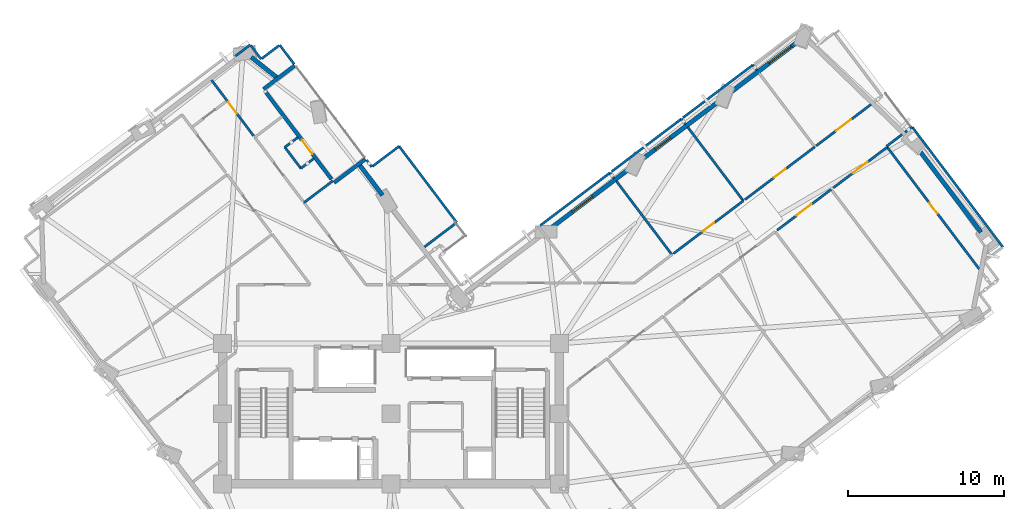
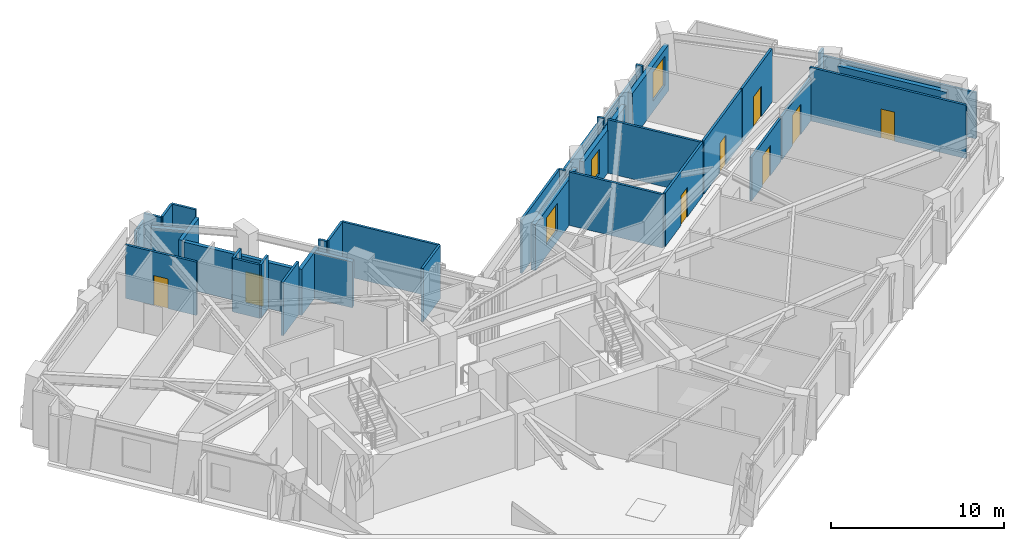
# One storey, part 9 of 15: 39 walls, 8 doors, 3 windows, 11 openings.
"""IFC4 building model written with IfcOpenShell, lengths in metres."""

from ifc_helpers import new_model, si_unit, direction, frame, frame_2d, origin, place, context, subcontext, project, spatial, rectangle, extrude, material, layer, layer_set, type_object, element, fill, save


model = new_model("IFC4")

# Units and contexts
model_context = context("Model", 3, precision=1e-05, world=origin(), true_north=direction((0.0, 1.0)))
body_context = subcontext(model_context, "Body", "Model", "MODEL_VIEW")
ifc_project = project(units=[si_unit("LENGTHUNIT", "METRE"), si_unit("AREAUNIT", "SQUARE_METRE"), si_unit("VOLUMEUNIT", "CUBIC_METRE"), si_unit("PLANEANGLEUNIT", "RADIAN"), si_unit("MASSUNIT", "GRAM", prefix="KILO")], contexts=[model_context])

# Site, building, storey
site_placement = place(None, origin())
site = spatial("IfcSite", under=ifc_project, at=site_placement, CompositionType="ELEMENT")
building_placement = place(site_placement, origin())
building = spatial("IfcBuilding", under=site, at=building_placement, Name="Gaonmaruhae Medical Tower", CompositionType="ELEMENT")
storey_placement = place(building_placement, frame((0.0, 0.0, 181.800048828125)))
storey = spatial("IfcBuildingStorey", under=building, at=storey_placement, Name="L43", CompositionType="ELEMENT", Elevation=181.800048828125)

# Wall, opening, door
ifc_material_1 = material(Name="Precast concrete C45/55", Category="concrete")
ifc_layer_1 = layer(ifc_material_1, 0.239990234375)
ifc_layer_set_1 = layer_set([ifc_layer_1], Name="Precast concrete C45/55")
wall_type_1 = type_object("IfcWallType", Name="EW-240 Ribbon & Shelter Insulated Precast Wall", PredefinedType="SOLIDWALL", material=ifc_layer_set_1)
wall_1_placement = place(storey_placement, frame((16.791015625, 32.89208984375, 0.0), z_axis=(0.0, 0.0, 1.0), x_axis=(0.602494608464, -0.798122952165, 0.0)))
wall_1 = element("IfcWall", 1, at=wall_1_placement, inside=storey, type_object=wall_type_1, Name="L43 Recessed Terrace Enclosure Wall TERB", PredefinedType="SOLIDWALL", context=body_context, shape_type="SweptSolid", body=[
    extrude(rectangle(XDim=6.9599609375, YDim=0.239990234375, at=frame_2d((3.47998046875, 0.0))), origin(), (0.0, 0.0, 1.0), 3.264892578125),
])
opening_1_placement = place(wall_1_placement, frame((3.819580078125, 0.0, 0.0)))
opening_1 = element("IfcOpeningElement", 2, at=opening_1_placement, cuts=wall_1, Name="Opening TD-01", PredefinedType="OPENING", context=body_context, shape_type="SweptSolid", body=[
    extrude(rectangle(XDim=1.10009765625, YDim=2.14990234375, at=frame_2d((0.550048828125, 1.074951171875))), frame((0.0, 0.1298828125, 0.0), z_axis=(0.0, -1.0, 0.0), x_axis=(1.0, 0.0, 0.0)), (0.0, 0.0, 1.0), 0.260009765625),
])
ifc_material_2 = material(Name="Anodised aluminium and toughened safety glass", Category="aluminium")
door_type_1 = type_object("IfcDoorType", Name="TD-01 Terrace & Sky Garden Glazed Door 1100x2150", OperationType="NOTDEFINED", PredefinedType="DOOR", material=ifc_material_2)
door_1_placement = place(opening_1_placement, origin())
door_1 = element("IfcDoor", 3, at=door_1_placement, inside=storey, type_object=door_type_1, Name="L43 Outdoor Terrace Access Door SLB-L43-TER", OperationType="SINGLE_SWING_LEFT", OverallHeight=2.14990234375, OverallWidth=1.10009765625, PredefinedType="DOOR", context=body_context, shape_type="SweptSolid", body=[
    extrude(rectangle(XDim=1.10009765625, YDim=2.14990234375, at=frame_2d((0.550048828125, 1.074951171875))), frame((0.0, 0.02490234375, 0.0), z_axis=(0.0, -1.0, 0.0), x_axis=(1.0, 0.0, 0.0)), (0.0, 0.0, 1.0), 0.050048828125),
])
fill(opening_1, door_1)

# Walls
for number, where, z_axis, x_axis, name in (
    (4, (21.153076171875, 27.11376953125, 0.0), (0.0, 0.0, 1.0), (0.798073955491, 0.602559508735, 0.0), "L43 Recessed Terrace Enclosure Wall TERL"),
    (5, (18.617431640625, 34.621826171875, 0.0), (0.0, 0.0, 1.0), (-0.798073955491, -0.602559508735, 0.0), "L43 Recessed Terrace Enclosure Wall TERR"),
):
    element("IfcWall", number, at=place(storey_placement, frame(where, z_axis=z_axis, x_axis=x_axis)), inside=storey, type_object=wall_type_1, Name=name, PredefinedType="SOLIDWALL", context=body_context, shape_type="SweptSolid", body=[
        extrude(rectangle(XDim=2.5, YDim=0.239990234375, at=frame_2d((1.25, 0.0))), origin(), (0.0, 0.0, 1.0), 3.264892578125),
    ])
ifc_layer_2 = layer(ifc_material_1, 0.280029296875)
ifc_layer_set_2 = layer_set([ifc_layer_2], Name="Precast concrete C45/55")
wall_type_2 = type_object("IfcWallType", Name="EW-280 Upper Precast Masonry-Frame Facade Wall", PredefinedType="SOLIDWALL", material=ifc_layer_set_2)
wall_2_placement = place(storey_placement, frame((58.515380859375, 29.388916015625, 0.0), z_axis=(0.0, 0.0, 1.0), x_axis=(0.602492713857, -0.79812438238, 0.0)))
element("IfcWall", 6, at=wall_2_placement, inside=storey, type_object=wall_type_2, Name="L43 Precast Masonry-Frame Wall E01-E02", PredefinedType="SOLIDWALL", context=body_context, shape_type="SweptSolid", body=[
    extrude(rectangle(XDim=6.840087890625, YDim=0.280029296875, at=frame_2d((3.419921875, 0.0))), origin(), (0.0, 0.0, 1.0), 3.264892578125),
])

# Wall, opening, window
wall_3_placement = place(storey_placement, frame((46.6171875, 32.935546875, 0.0), z_axis=(0.0, 0.0, 1.0), x_axis=(0.798109637952, 0.602512245359, 0.0)))
wall_3 = element("IfcWall", 7, at=wall_3_placement, inside=storey, type_object=wall_type_2, Name="L43 Precast Masonry-Frame Wall E03-EN01", PredefinedType="SOLIDWALL", context=body_context, shape_type="SweptSolid", body=[
    extrude(rectangle(XDim=5.404541015625, YDim=0.280029296875, at=frame_2d((2.7021484375, 0.0))), origin(), (0.0, 0.0, 1.0), 3.264892578125),
])
opening_2_placement = place(wall_3_placement, frame((3.03369140625, 0.0, 0.75)))
opening_2 = element("IfcOpeningElement", 8, at=opening_2_placement, cuts=wall_3, Name="Opening WN-04", PredefinedType="OPENING", context=body_context, shape_type="SweptSolid", body=[
    extrude(rectangle(XDim=1.800048828125, YDim=2.050048828125, at=frame_2d((0.89990234375, 1.02490234375))), frame((0.0, 0.14990234375, 0.0), z_axis=(0.0, -1.0, 0.0), x_axis=(1.0, 0.0, 0.0)), (0.0, 0.0, 1.0), 0.300048828125),
])
ifc_material_3 = material(Name="Anodised aluminium and Low-E double glazing", Category="aluminium")
window_type_1 = type_object("IfcWindowType", Name="WN-04 Clinic & Consult Punched Window 1800x2050", PartitioningType="SINGLE_PANEL", PredefinedType="WINDOW", material=ifc_material_3)
window_1_placement = place(opening_2_placement, origin())
window_1 = element("IfcWindow", 9, at=window_1_placement, inside=storey, type_object=window_type_1, Name="L43 Modular Facade Window E03", OverallHeight=2.050048828125, OverallWidth=1.800048828125, PartitioningType="SINGLE_PANEL", PredefinedType="WINDOW", context=body_context, shape_type="SweptSolid", body=[
    extrude(rectangle(XDim=1.800048828125, YDim=2.050048828125, at=frame_2d((0.89990234375, 1.02490234375))), frame((0.0, 0.030029296875, 0.0), z_axis=(0.0, -1.0, 0.0), x_axis=(1.0, 0.0, 0.0)), (0.0, 0.0, 1.0), 0.06005859375),
])
fill(opening_2, window_1)

wall_4_placement = place(storey_placement, frame((40.88037109375, 28.6044921875, 0.0), z_axis=(0.0, 0.0, 1.0), x_axis=(0.798099856312, 0.602525202257, 0.0)))
wall_4 = element("IfcWall", 10, at=wall_4_placement, inside=storey, type_object=wall_type_2, Name="L43 Precast Masonry-Frame Wall EN01-EN02", PredefinedType="SOLIDWALL", context=body_context, shape_type="SweptSolid", body=[
    extrude(rectangle(XDim=6.2265625, YDim=0.280029296875, at=frame_2d((3.11328125, 0.0))), origin(), (0.0, 0.0, 1.0), 3.06494140625),
])
opening_3_placement = place(wall_4_placement, frame((1.095703125, 0.0, 0.75)))
opening_3 = element("IfcOpeningElement", 11, at=opening_3_placement, cuts=wall_4, Name="Opening WN-05", PredefinedType="OPENING", context=body_context, shape_type="SweptSolid", body=[
    extrude(rectangle(XDim=1.199951171875, YDim=1.75, at=frame_2d((0.60009765625, 0.875))), frame((0.0, 0.14990234375, 0.0), z_axis=(0.0, -1.0, 0.0), x_axis=(1.0, 0.0, 0.0)), (0.0, 0.0, 1.0), 0.300048828125),
])
window_type_2 = type_object("IfcWindowType", Name="WN-05 Support & Staff Punched Window 1200x1750", PartitioningType="SINGLE_PANEL", PredefinedType="WINDOW", material=ifc_material_3)
window_2_placement = place(opening_3_placement, origin())
window_2 = element("IfcWindow", 12, at=window_2_placement, inside=storey, type_object=window_type_2, Name="L43 Modular Facade Window EN01", OverallHeight=1.75, OverallWidth=1.199951171875, PartitioningType="SINGLE_PANEL", PredefinedType="WINDOW", context=body_context, shape_type="SweptSolid", body=[
    extrude(rectangle(XDim=1.199951171875, YDim=1.75, at=frame_2d((0.60009765625, 0.875))), frame((0.0, 0.030029296875, 0.0), z_axis=(0.0, -1.0, 0.0), x_axis=(1.0, 0.0, 0.0)), (0.0, 0.0, 1.0), 0.06005859375),
])
fill(opening_3, window_2)

wall_5_placement = place(storey_placement, frame((35.1376953125, 24.269287109375, 0.0), z_axis=(0.0, 0.0, 1.0), x_axis=(0.798109261366, 0.602512744199, 0.0)))
wall_5 = element("IfcWall", 13, at=wall_5_placement, inside=storey, type_object=wall_type_2, Name="L43 Precast Masonry-Frame Wall EN02-EN03", PredefinedType="SOLIDWALL", context=body_context, shape_type="SweptSolid", body=[
    extrude(rectangle(XDim=6.2109375, YDim=0.280029296875, at=frame_2d((3.10546875, 0.0))), origin(), (0.0, 0.0, 1.0), 3.264892578125),
])
opening_4_placement = place(wall_5_placement, frame((1.623779296875, 0.0, 0.75)))
opening_4 = element("IfcOpeningElement", 14, at=opening_4_placement, cuts=wall_5, Name="Opening WN-01", PredefinedType="OPENING", context=body_context, shape_type="SweptSolid", body=[
    extrude(rectangle(XDim=1.60009765625, YDim=1.949951171875, at=frame_2d((0.800048828125, 0.97509765625))), frame((0.0, 0.14990234375, 0.0), z_axis=(0.0, -1.0, 0.0), x_axis=(1.0, 0.0, 0.0)), (0.0, 0.0, 1.0), 0.300048828125),
])
window_type_3 = type_object("IfcWindowType", Name="WN-01 Ward Punched Acoustic Window 1600x1950", PartitioningType="SINGLE_PANEL", PredefinedType="WINDOW", material=ifc_material_3)
window_3_placement = place(opening_4_placement, origin())
window_3 = element("IfcWindow", 15, at=window_3_placement, inside=storey, type_object=window_type_3, Name="L43 Modular Facade Window EN02", OverallHeight=1.949951171875, OverallWidth=1.60009765625, PartitioningType="SINGLE_PANEL", PredefinedType="WINDOW", context=body_context, shape_type="SweptSolid", body=[
    extrude(rectangle(XDim=1.60009765625, YDim=1.949951171875, at=frame_2d((0.800048828125, 0.97509765625))), frame((0.0, 0.030029296875, 0.0), z_axis=(0.0, -1.0, 0.0), x_axis=(1.0, 0.0, 0.0)), (0.0, 0.0, 1.0), 0.06005859375),
])
fill(opening_4, window_3)

# Walls
wall_6_placement = place(storey_placement, frame((24.251953125, 26.3115234375, 0.0), z_axis=(0.0, 0.0, 1.0), x_axis=(-0.602494218239, 0.798123246741, 0.0)))
element("IfcWall", 16, at=wall_6_placement, inside=storey, type_object=wall_type_2, Name="L43 Precast Masonry-Frame Wall NE01-NE02", PredefinedType="SOLIDWALL", context=body_context, shape_type="SweptSolid", body=[
    extrude(rectangle(XDim=2.4873046875, YDim=0.280029296875, at=frame_2d((1.24365234375, 0.0))), origin(), (0.0, 0.0, 1.0), 3.244873046875),
])
wall_7_placement = place(storey_placement, frame((15.840576171875, 35.166748046875, 0.0), z_axis=(0.0, 0.0, 1.0), x_axis=(0.781829208008, -0.623492653931, 0.0)))
element("IfcWall", 17, at=wall_7_placement, inside=storey, type_object=wall_type_2, Name="L43 Precast Masonry-Frame Wall NE02-N01", PredefinedType="SOLIDWALL", context=body_context, shape_type="SweptSolid", body=[
    extrude(rectangle(XDim=2.155517578125, YDim=0.280029296875, at=frame_2d((1.07763671875, 0.0))), origin(), (0.0, 0.0, 1.0), 3.244873046875),
])

# Wall, opening, door
ifc_material_4 = material(Name="Gypsum board partition", Category="gypsum")
ifc_layer_3 = layer(ifc_material_4, 0.14990234375)
ifc_layer_set_3 = layer_set([ifc_layer_3], Name="Gypsum board partition")
wall_type_3 = type_object("IfcWallType", Name="PW-150 Rated Clinical Corridor Partition", PredefinedType="PARTITIONING", material=ifc_layer_set_3)
wall_8_placement = place(storey_placement, frame((49.56201171875, 24.070068359375, 0.0), z_axis=(0.0, 0.0, 1.0), x_axis=(0.798105957369, 0.602517120763, 0.0)))
wall_8 = element("IfcWall", 18, at=wall_8_placement, inside=storey, type_object=wall_type_3, Name="L43 Interior Partition L43-SUP10-30", PredefinedType="PARTITIONING", context=body_context, shape_type="SweptSolid", body=[
    extrude(rectangle(XDim=4.340087890625, YDim=0.14990234375, at=frame_2d((2.169921875, 0.0))), origin(), (0.0, 0.0, 1.0), 3.06494140625),
])
opening_5_placement = place(wall_8_placement, frame((1.570068359375, 0.0, 0.0)))
opening_5 = element("IfcOpeningElement", 19, at=opening_5_placement, cuts=wall_8, Name="Opening CD-02", PredefinedType="OPENING", context=body_context, shape_type="SweptSolid", body=[
    extrude(rectangle(XDim=1.199951171875, YDim=2.14990234375, at=frame_2d((0.60009765625, 1.074951171875))), frame((0.0, 0.0849609375, 0.0), z_axis=(0.0, -1.0, 0.0), x_axis=(1.0, 0.0, 0.0)), (0.0, 0.0, 1.0), 0.169921875),
])
ifc_material_5 = material(Name="Antimicrobial laminate timber fire door", Category="wood")
door_type_2 = type_object("IfcDoorType", Name="CD-02 Clinical Treatment & Procedure Door 1200x2150", OperationType="NOTDEFINED", PredefinedType="DOOR", material=ifc_material_5)
door_2_placement = place(opening_5_placement, origin())
door_2 = element("IfcDoor", 20, at=door_2_placement, inside=storey, type_object=door_type_2, Name="L43 Clinical Biomedical Charting Office Door", OperationType="SINGLE_SWING_LEFT", OverallHeight=2.14990234375, OverallWidth=1.199951171875, PredefinedType="DOOR", context=body_context, shape_type="SweptSolid", body=[
    extrude(rectangle(XDim=1.199951171875, YDim=2.14990234375, at=frame_2d((0.60009765625, 1.074951171875))), frame((0.0, 0.02490234375, 0.0), z_axis=(0.0, -1.0, 0.0), x_axis=(1.0, 0.0, 0.0)), (0.0, 0.0, 1.0), 0.050048828125),
])
fill(opening_5, door_2)

wall_9_placement = place(storey_placement, frame((53.154052734375, 26.781005859375, 0.0), z_axis=(0.0, 0.0, 1.0), x_axis=(0.798105957369, 0.602517120763, 0.0)))
wall_9 = element("IfcWall", 21, at=wall_9_placement, inside=storey, type_object=wall_type_3, Name="L43 Interior Partition L43-SUP11-33", PredefinedType="PARTITIONING", context=body_context, shape_type="SweptSolid", body=[
    extrude(rectangle(XDim=4.340087890625, YDim=0.14990234375, at=frame_2d((2.169921875, 0.0))), origin(), (0.0, 0.0, 1.0), 3.06494140625),
])
opening_6_placement = place(wall_9_placement, frame((1.570068359375, 0.0, 0.0)))
opening_6 = element("IfcOpeningElement", 22, at=opening_6_placement, cuts=wall_9, Name="Opening CD-02", PredefinedType="OPENING", context=body_context, shape_type="SweptSolid", body=[
    extrude(rectangle(XDim=1.199951171875, YDim=2.14990234375, at=frame_2d((0.60009765625, 1.074951171875))), frame((0.0, 0.0849609375, 0.0), z_axis=(0.0, -1.0, 0.0), x_axis=(1.0, 0.0, 0.0)), (0.0, 0.0, 1.0), 0.169921875),
])
door_3_placement = place(opening_6_placement, origin())
door_3 = element("IfcDoor", 23, at=door_3_placement, inside=storey, type_object=door_type_2, Name="L43 Clinical Biomedical Charting Office Door", OperationType="SINGLE_SWING_LEFT", OverallHeight=2.14990234375, OverallWidth=1.199951171875, PredefinedType="DOOR", context=body_context, shape_type="SweptSolid", body=[
    extrude(rectangle(XDim=1.199951171875, YDim=2.14990234375, at=frame_2d((0.60009765625, 1.074951171875))), frame((0.0, 0.02490234375, 0.0), z_axis=(0.0, -1.0, 0.0), x_axis=(1.0, 0.0, 0.0)), (0.0, 0.0, 1.0), 0.050048828125),
])
fill(opening_6, door_3)

wall_10_placement = place(storey_placement, frame((56.617919921875, 29.39599609375, 0.0), z_axis=(0.0, 0.0, 1.0), x_axis=(0.602496773162, -0.798121318053, 0.0)))
wall_10 = element("IfcWall", 24, at=wall_10_placement, inside=storey, type_object=wall_type_3, Name="L43 Interior Partition L43-SUP11-34", PredefinedType="PARTITIONING", context=body_context, shape_type="SweptSolid", body=[
    extrude(rectangle(XDim=9.829345703125, YDim=0.14990234375, at=frame_2d((4.91455078125, 0.0))), origin(), (0.0, 0.0, 1.0), 3.780029296875),
])
opening_7_placement = place(wall_10_placement, frame((4.484619140625, 0.0, 0.0)))
opening_7 = element("IfcOpeningElement", 25, at=opening_7_placement, cuts=wall_10, Name="Opening AD-01", PredefinedType="OPENING", context=body_context, shape_type="SweptSolid", body=[
    extrude(rectangle(XDim=0.860107421875, YDim=2.06005859375, at=frame_2d((0.43017578125, 1.030029296875))), frame((0.0, 0.0849609375, 0.0), z_axis=(0.0, -1.0, 0.0), x_axis=(1.0, 0.0, 0.0)), (0.0, 0.0, 1.0), 0.169921875),
])
ifc_material_6 = material(Name="Powder-coated steel access door", Category="steel")
door_type_3 = type_object("IfcDoorType", Name="AD-01 Riser & Closet Access Fire Door 860x2060", OperationType="NOTDEFINED", PredefinedType="DOOR", material=ifc_material_6)
door_4_placement = place(opening_7_placement, origin())
door_4 = element("IfcDoor", 26, at=door_4_placement, inside=storey, type_object=door_type_3, Name="L43 Clinical Case Review Office Sliding Door", OperationType="SLIDING_TO_LEFT", OverallHeight=2.06005859375, OverallWidth=0.860107421875, PredefinedType="DOOR", context=body_context, shape_type="SweptSolid", body=[
    extrude(rectangle(XDim=0.860107421875, YDim=2.06005859375, at=frame_2d((0.43017578125, 1.030029296875))), frame((0.0, 0.02490234375, 0.0), z_axis=(0.0, -1.0, 0.0), x_axis=(1.0, 0.0, 0.0)), (0.0, 0.0, 1.0), 0.050048828125),
])
fill(opening_7, door_4)

# Walls
wall_11_placement = place(storey_placement, frame((34.35888671875, 24.37109375, 0.0), z_axis=(0.0, 0.0, 1.0), x_axis=(0.798228577004, 0.602354662017, 0.0)))
element("IfcWall", 27, at=wall_11_placement, inside=storey, type_object=wall_type_3, Name="L43 Interior Partition L43-IE03-77", PredefinedType="PARTITIONING", context=body_context, shape_type="SweptSolid", body=[
    extrude(rectangle(XDim=5.61767578125, YDim=0.14990234375, at=frame_2d((2.808837890625, 0.0))), origin(), (0.0, 0.0, 1.0), 3.780029296875),
])
wall_12_placement = place(storey_placement, frame((38.843017578125, 27.7548828125, 0.0), z_axis=(0.0, 0.0, 1.0), x_axis=(0.602602666336, -0.798041368931, 0.0)))
element("IfcWall", 28, at=wall_12_placement, inside=storey, type_object=wall_type_3, Name="L43 Interior Partition L43-IE03-78", PredefinedType="PARTITIONING", context=body_context, shape_type="SweptSolid", body=[
    extrude(rectangle(XDim=0.434814453125, YDim=0.14990234375, at=frame_2d((0.21728515625, 0.0))), origin(), (0.0, 0.0, 1.0), 3.780029296875),
])
wall_13_placement = place(storey_placement, frame((39.242919921875, 27.22509765625, 0.0), z_axis=(0.0, 0.0, 1.0), x_axis=(0.602515370823, -0.798107278455, 0.0)))
element("IfcWall", 29, at=wall_13_placement, inside=storey, type_object=wall_type_3, Name="L43 Interior Partition L43-IE03-79", PredefinedType="PARTITIONING", context=body_context, shape_type="SweptSolid", body=[
    extrude(rectangle(XDim=5.92529296875, YDim=0.14990234375, at=frame_2d((2.962646484375, 0.0))), origin(), (0.0, 0.0, 1.0), 3.780029296875),
])

# Wall, opening, door
wall_14_placement = place(storey_placement, frame((47.39208984375, 25.952880859375, 0.0), z_axis=(0.0, 0.0, 1.0), x_axis=(-0.79808188884, -0.602549001083, 0.0)))
wall_14 = element("IfcWall", 30, at=wall_14_placement, inside=storey, type_object=wall_type_3, Name="L43 Interior Partition L43-IE04-82", PredefinedType="PARTITIONING", context=body_context, shape_type="SweptSolid", body=[
    extrude(rectangle(XDim=5.617431640625, YDim=0.14990234375, at=frame_2d((2.80859375, 0.0))), origin(), (0.0, 0.0, 1.0), 3.780029296875),
])
opening_8_placement = place(wall_14_placement, frame((2.3486328125, 0.0, 0.0)))
opening_8 = element("IfcOpeningElement", 31, at=opening_8_placement, cuts=wall_14, Name="Opening UD-01", PredefinedType="OPENING", context=body_context, shape_type="SweptSolid", body=[
    extrude(rectangle(XDim=0.919921875, YDim=2.10009765625, at=frame_2d((0.4599609375, 1.050048828125))), frame((0.0, 0.0849609375, 0.0), z_axis=(0.0, -1.0, 0.0), x_axis=(1.0, 0.0, 0.0)), (0.0, 0.0, 1.0), 0.169921875),
])
ifc_material_7 = material(Name="Powder-coated steel utility door", Category="steel")
door_type_4 = type_object("IfcDoorType", Name="UD-01 Toilet, Utility & Housekeeping Door 920x2100", OperationType="NOTDEFINED", PredefinedType="DOOR", material=ifc_material_7)
door_5_placement = place(opening_8_placement, origin())
door_5 = element("IfcDoor", 32, at=door_5_placement, inside=storey, type_object=door_type_4, Name="L43 Accessible Public Toilet Door", OperationType="SINGLE_SWING_RIGHT", OverallHeight=2.10009765625, OverallWidth=0.919921875, PredefinedType="DOOR", context=body_context, shape_type="SweptSolid", body=[
    extrude(rectangle(XDim=0.919921875, YDim=2.10009765625, at=frame_2d((0.4599609375, 1.050048828125))), frame((0.0, 0.02490234375, 0.0), z_axis=(0.0, -1.0, 0.0), x_axis=(1.0, 0.0, 0.0)), (0.0, 0.0, 1.0), 0.050048828125),
])
fill(opening_8, door_5)

# Walls
wall_15_placement = place(storey_placement, frame((38.93896484375, 27.827880859375, 0.0), z_axis=(0.0, 0.0, 1.0), x_axis=(0.798144589063, 0.602465945053, 0.0)))
element("IfcWall", 33, at=wall_15_placement, inside=storey, type_object=wall_type_3, Name="L43 Interior Partition L43-IE04-83", PredefinedType="PARTITIONING", context=body_context, shape_type="SweptSolid", body=[
    extrude(rectangle(XDim=5.616943359375, YDim=0.14990234375, at=frame_2d((2.80859375, 0.0))), origin(), (0.0, 0.0, 1.0), 3.264892578125),
])
wall_16_placement = place(storey_placement, frame((43.422119140625, 31.2119140625, 0.0), z_axis=(0.0, 0.0, 1.0), x_axis=(0.602602666336, -0.798041368931, 0.0)))
element("IfcWall", 34, at=wall_16_placement, inside=storey, type_object=wall_type_3, Name="L43 Interior Partition L43-IE04-84", PredefinedType="PARTITIONING", context=body_context, shape_type="SweptSolid", body=[
    extrude(rectangle(XDim=0.434814453125, YDim=0.14990234375, at=frame_2d((0.21728515625, 0.0))), origin(), (0.0, 0.0, 1.0), 3.780029296875),
])
wall_17_placement = place(storey_placement, frame((43.822021484375, 30.681884765625, 0.0), z_axis=(0.0, 0.0, 1.0), x_axis=(0.602515370823, -0.798107278455, 0.0)))
element("IfcWall", 35, at=wall_17_placement, inside=storey, type_object=wall_type_3, Name="L43 Interior Partition L43-IE04-85", PredefinedType="PARTITIONING", context=body_context, shape_type="SweptSolid", body=[
    extrude(rectangle(XDim=5.92529296875, YDim=0.14990234375, at=frame_2d((2.962646484375, 0.0))), origin(), (0.0, 0.0, 1.0), 3.780029296875),
])

# Wall, opening, door
wall_18_placement = place(storey_placement, frame((51.971923828125, 29.409912109375, 0.0), z_axis=(0.0, 0.0, 1.0), x_axis=(-0.798108322746, -0.602513987525, 0.0)))
wall_18 = element("IfcWall", 36, at=wall_18_placement, inside=storey, type_object=wall_type_3, Name="L43 Interior Partition L43-IE05-86", PredefinedType="PARTITIONING", context=body_context, shape_type="SweptSolid", body=[
    extrude(rectangle(XDim=5.6181640625, YDim=0.14990234375, at=frame_2d((2.80908203125, 0.0))), origin(), (0.0, 0.0, 1.0), 3.780029296875),
])
opening_9_placement = place(wall_18_placement, frame((2.34912109375, 0.0, 0.0)))
opening_9 = element("IfcOpeningElement", 37, at=opening_9_placement, cuts=wall_18, Name="Opening UD-01", PredefinedType="OPENING", context=body_context, shape_type="SweptSolid", body=[
    extrude(rectangle(XDim=0.919921875, YDim=2.10009765625, at=frame_2d((0.4599609375, 1.050048828125))), frame((0.0, 0.0849609375, 0.0), z_axis=(0.0, -1.0, 0.0), x_axis=(1.0, 0.0, 0.0)), (0.0, 0.0, 1.0), 0.169921875),
])
door_6_placement = place(opening_9_placement, origin())
door_6 = element("IfcDoor", 38, at=door_6_placement, inside=storey, type_object=door_type_4, Name="L43 Ward Housekeeping and Linen Store Door", OperationType="SINGLE_SWING_LEFT", OverallHeight=2.10009765625, OverallWidth=0.919921875, PredefinedType="DOOR", context=body_context, shape_type="SweptSolid", body=[
    extrude(rectangle(XDim=0.919921875, YDim=2.10009765625, at=frame_2d((0.4599609375, 1.050048828125))), frame((0.0, 0.02490234375, 0.0), z_axis=(0.0, -1.0, 0.0), x_axis=(1.0, 0.0, 0.0)), (0.0, 0.0, 1.0), 0.050048828125),
])
fill(opening_9, door_6)

# Walls
wall_19_placement = place(storey_placement, frame((43.51806640625, 31.284912109375, 0.0), z_axis=(0.0, 0.0, 1.0), x_axis=(0.798128812023, 0.602486845847, 0.0)))
element("IfcWall", 39, at=wall_19_placement, inside=storey, type_object=wall_type_3, Name="L43 Interior Partition L43-IE05-87", PredefinedType="PARTITIONING", context=body_context, shape_type="SweptSolid", body=[
    extrude(rectangle(XDim=5.61669921875, YDim=0.14990234375, at=frame_2d((2.808349609375, 0.0))), origin(), (0.0, 0.0, 1.0), 3.06494140625),
])
wall_20_placement = place(storey_placement, frame((48.0009765625, 34.6689453125, 0.0), z_axis=(0.0, 0.0, 1.0), x_axis=(0.602602666336, -0.798041368931, 0.0)))
element("IfcWall", 40, at=wall_20_placement, inside=storey, type_object=wall_type_3, Name="L43 Interior Partition L43-IE05-88", PredefinedType="PARTITIONING", context=body_context, shape_type="SweptSolid", body=[
    extrude(rectangle(XDim=0.434814453125, YDim=0.14990234375, at=frame_2d((0.21728515625, 0.0))), origin(), (0.0, 0.0, 1.0), 3.780029296875),
])

# Wall, opening, door
wall_21_placement = place(storey_placement, frame((55.5849609375, 32.137939453125, 0.0), z_axis=(0.0, 0.0, 1.0), x_axis=(-0.798095178634, -0.60253139822, 0.0)))
wall_21 = element("IfcWall", 41, at=wall_21_placement, inside=storey, type_object=wall_type_3, Name="L43 Interior Partition L43-IE06-93", PredefinedType="PARTITIONING", context=body_context, shape_type="SweptSolid", body=[
    extrude(rectangle(XDim=4.407958984375, YDim=0.14990234375, at=frame_2d((2.2041015625, 0.0))), origin(), (0.0, 0.0, 1.0), 3.780029296875),
])
opening_10_placement = place(wall_21_placement, frame((1.60400390625, 0.0, 0.0)))
opening_10 = element("IfcOpeningElement", 42, at=opening_10_placement, cuts=wall_21, Name="Opening CD-02", PredefinedType="OPENING", context=body_context, shape_type="SweptSolid", body=[
    extrude(rectangle(XDim=1.199951171875, YDim=2.14990234375, at=frame_2d((0.60009765625, 1.074951171875))), frame((0.0, 0.0849609375, 0.0), z_axis=(0.0, -1.0, 0.0), x_axis=(1.0, 0.0, 0.0)), (0.0, 0.0, 1.0), 0.169921875),
])
door_7_placement = place(opening_10_placement, origin())
door_7 = element("IfcDoor", 43, at=door_7_placement, inside=storey, type_object=door_type_2, Name="L43 Multidisciplinary Clinical Consultation Room Door", OperationType="SINGLE_SWING_LEFT", OverallHeight=2.14990234375, OverallWidth=1.199951171875, PredefinedType="DOOR", context=body_context, shape_type="SweptSolid", body=[
    extrude(rectangle(XDim=1.199951171875, YDim=2.14990234375, at=frame_2d((0.60009765625, 1.074951171875))), frame((0.0, 0.02490234375, 0.0), z_axis=(0.0, -1.0, 0.0), x_axis=(1.0, 0.0, 0.0)), (0.0, 0.0, 1.0), 0.050048828125),
])
fill(opening_10, door_7)

# Walls
wall_22_placement = place(storey_placement, frame((19.222900390625, 25.8369140625, 0.0), z_axis=(0.0, 0.0, 1.0), x_axis=(0.797953180957, 0.602719438047, 0.0)))
element("IfcWall", 44, at=wall_22_placement, inside=storey, type_object=wall_type_3, Name="L43 Interior Partition L43-IN01-99", PredefinedType="PARTITIONING", context=body_context, shape_type="SweptSolid", body=[
    extrude(rectangle(XDim=2.3095703125, YDim=0.14990234375, at=frame_2d((1.15478515625, 0.0))), origin(), (0.0, 0.0, 1.0), 3.780029296875),
])
wall_23_placement = place(storey_placement, frame((23.23193359375, 28.575927734375, 0.0), z_axis=(0.0, 0.0, 1.0), x_axis=(0.602110576482, -0.798412708872, 0.0)))
element("IfcWall", 45, at=wall_23_placement, inside=storey, type_object=wall_type_3, Name="L43 Interior Partition L43-IN01-100", PredefinedType="PARTITIONING", context=body_context, shape_type="SweptSolid", body=[
    extrude(rectangle(XDim=0.5546875, YDim=0.14990234375, at=frame_2d((0.27734375, 0.0))), origin(), (0.0, 0.0, 1.0), 3.780029296875),
])
wall_24_placement = place(storey_placement, frame((18.8359375, 30.02587890625, 0.0), z_axis=(0.0, 0.0, 1.0), x_axis=(-0.797968701854, -0.602698889049, 0.0)))
element("IfcWall", 46, at=wall_24_placement, inside=storey, type_object=wall_type_3, Name="L43 Interior Partition L43-IN02-102", PredefinedType="PARTITIONING", context=body_context, shape_type="SweptSolid", body=[
    extrude(rectangle(XDim=1.05517578125, YDim=0.14990234375, at=frame_2d((0.527587890625, 0.0))), origin(), (0.0, 0.0, 1.0), 3.780029296875),
])
wall_25_placement = place(storey_placement, frame((17.993896484375, 29.389892578125, 0.0), z_axis=(0.0, 0.0, 1.0), x_axis=(0.602432799865, -0.798169607068, 0.0)))
element("IfcWall", 47, at=wall_25_placement, inside=storey, type_object=wall_type_3, Name="L43 Interior Partition L43-IN02-103", PredefinedType="PARTITIONING", context=body_context, shape_type="SweptSolid", body=[
    extrude(rectangle(XDim=1.699951171875, YDim=0.14990234375, at=frame_2d((0.85009765625, 0.0))), origin(), (0.0, 0.0, 1.0), 3.780029296875),
])
wall_26_placement = place(storey_placement, frame((19.01806640625, 28.032958984375, 0.0), z_axis=(0.0, 0.0, 1.0), x_axis=(0.797968701854, 0.602698889049, 0.0)))
element("IfcWall", 48, at=wall_26_placement, inside=storey, type_object=wall_type_3, Name="L43 Interior Partition L43-IN02-104", PredefinedType="PARTITIONING", context=body_context, shape_type="SweptSolid", body=[
    extrude(rectangle(XDim=1.05517578125, YDim=0.14990234375, at=frame_2d((0.527587890625, 0.0))), origin(), (0.0, 0.0, 1.0), 3.780029296875),
])
wall_27_placement = place(storey_placement, frame((17.6650390625, 35.949951171875, 0.0), z_axis=(0.0, 0.0, 1.0), x_axis=(0.602772833001, -0.797912847244, 0.0)))
element("IfcWall", 49, at=wall_27_placement, inside=storey, type_object=wall_type_3, Name="L43 Interior Partition L43-IN03-106", PredefinedType="PARTITIONING", context=body_context, shape_type="SweptSolid", body=[
    extrude(rectangle(XDim=1.547607421875, YDim=0.14990234375, at=frame_2d((0.77392578125, 0.0))), origin(), (0.0, 0.0, 1.0), 3.780029296875),
])

# Wall, opening, door
wall_28_placement = place(storey_placement, frame((15.987060546875, 30.123046875, 0.0), z_axis=(0.0, 0.0, 1.0), x_axis=(-0.602537420483, 0.79809063202, 0.0)))
wall_28 = element("IfcWall", 50, at=wall_28_placement, inside=storey, type_object=wall_type_3, Name="L43 Interior Partition L43-IN03-107", PredefinedType="PARTITIONING", context=body_context, shape_type="SweptSolid", body=[
    extrude(rectangle(XDim=4.474365234375, YDim=0.14990234375, at=frame_2d((2.2373046875, 0.0))), origin(), (0.0, 0.0, 1.0), 3.780029296875),
])
opening_11_placement = place(wall_28_placement, frame((1.777099609375, 0.0, 0.0)))
opening_11 = element("IfcOpeningElement", 51, at=opening_11_placement, cuts=wall_28, Name="Opening UD-01", PredefinedType="OPENING", context=body_context, shape_type="SweptSolid", body=[
    extrude(rectangle(XDim=0.919921875, YDim=2.10009765625, at=frame_2d((0.4599609375, 1.050048828125))), frame((0.0, 0.0849609375, 0.0), z_axis=(0.0, -1.0, 0.0), x_axis=(1.0, 0.0, 0.0)), (0.0, 0.0, 1.0), 0.169921875),
])
door_8_placement = place(opening_11_placement, origin())
door_8 = element("IfcDoor", 52, at=door_8_placement, inside=storey, type_object=door_type_4, Name="L43 Public Visitor Toilet Door", OperationType="SINGLE_SWING_RIGHT", OverallHeight=2.10009765625, OverallWidth=0.919921875, PredefinedType="DOOR", context=body_context, shape_type="SweptSolid", body=[
    extrude(rectangle(XDim=0.919921875, YDim=2.10009765625, at=frame_2d((0.4599609375, 1.050048828125))), frame((0.0, 0.02490234375, 0.0), z_axis=(0.0, -1.0, 0.0), x_axis=(1.0, 0.0, 0.0)), (0.0, 0.0, 1.0), 0.050048828125),
])
fill(opening_11, door_8)

# Walls
wall_29_placement = place(storey_placement, frame((14.821044921875, 35.23193359375, 0.0), z_axis=(0.0, 0.0, 1.0), x_axis=(0.798340170891, 0.602206751491, 0.0)))
element("IfcWall", 53, at=wall_29_placement, inside=storey, type_object=wall_type_3, Name="L43 Interior Partition L43-IN03-108", PredefinedType="PARTITIONING", context=body_context, shape_type="SweptSolid", body=[
    extrude(rectangle(XDim=1.202392578125, YDim=0.14990234375, at=frame_2d((0.60107421875, 0.0))), origin(), (0.0, 0.0, 1.0), 3.264892578125),
])
wall_30_placement = place(storey_placement, frame((15.81103515625, 35.916015625, 0.0), z_axis=(0.0, 0.0, 1.0), x_axis=(0.60257647238, -0.798061147366, 0.0)))
element("IfcWall", 54, at=wall_30_placement, inside=storey, type_object=wall_type_3, Name="L43 Interior Partition L43-IN03-109", PredefinedType="PARTITIONING", context=body_context, shape_type="SweptSolid", body=[
    extrude(rectangle(XDim=1.09033203125, YDim=0.14990234375, at=frame_2d((0.545166015625, 0.0))), origin(), (0.0, 0.0, 1.0), 3.780029296875),
])
wall_31_placement = place(storey_placement, frame((16.508056640625, 35.075927734375, 0.0), z_axis=(0.0, 0.0, 1.0), x_axis=(0.79783936347, 0.602870093883, 0.0)))
element("IfcWall", 55, at=wall_31_placement, inside=storey, type_object=wall_type_3, Name="L43 Interior Partition L43-IN03-110", PredefinedType="PARTITIONING", context=body_context, shape_type="SweptSolid", body=[
    extrude(rectangle(XDim=1.39990234375, YDim=0.14990234375, at=frame_2d((0.699951171875, 0.0))), origin(), (0.0, 0.0, 1.0), 3.780029296875),
])
wall_32_placement = place(storey_placement, frame((23.6220703125, 28.175048828125, 0.0), z_axis=(0.0, 0.0, 1.0), x_axis=(0.797973879447, 0.602692033895, 0.0)))
element("IfcWall", 56, at=wall_32_placement, inside=storey, type_object=wall_type_3, Name="L43 Interior Partition L43-RM04-114", PredefinedType="PARTITIONING", context=body_context, shape_type="SweptSolid", body=[
    extrude(rectangle(XDim=2.13037109375, YDim=0.14990234375, at=frame_2d((1.065185546875, 0.0))), origin(), (0.0, 0.0, 1.0), 3.780029296875),
])
wall_33_placement = place(storey_placement, frame((25.322021484375, 29.458984375, 0.0), z_axis=(0.0, 0.0, 1.0), x_axis=(0.602530779128, -0.798095646025, 0.0)))
element("IfcWall", 57, at=wall_33_placement, inside=storey, type_object=wall_type_3, Name="L43 Interior Partition L43-RM04-115", PredefinedType="PARTITIONING", context=body_context, shape_type="SweptSolid", body=[
    extrude(rectangle(XDim=6.1357421875, YDim=0.14990234375, at=frame_2d((3.06787109375, 0.0))), origin(), (0.0, 0.0, 1.0), 3.780029296875),
])
wall_34_placement = place(storey_placement, frame((29.01904296875, 24.56201171875, 0.0), z_axis=(0.0, 0.0, 1.0), x_axis=(-0.798016393194, -0.602635740886, 0.0)))
element("IfcWall", 58, at=wall_34_placement, inside=storey, type_object=wall_type_3, Name="L43 Interior Partition L43-RM04-116", PredefinedType="PARTITIONING", context=body_context, shape_type="SweptSolid", body=[
    extrude(rectangle(XDim=2.59033203125, YDim=0.14990234375, at=frame_2d((1.295166015625, 0.0))), origin(), (0.0, 0.0, 1.0), 3.780029296875),
])
wall_35_placement = place(storey_placement, frame((56.575927734375, 29.451904296875, 0.0), z_axis=(0.0, 0.0, 1.0), x_axis=(0.798123673532, 0.602493652869, 0.0)))
element("IfcWall", 59, at=wall_35_placement, inside=storey, type_object=wall_type_3, Name="L43 Interior Partition L43-RM05-118", PredefinedType="PARTITIONING", context=body_context, shape_type="SweptSolid", body=[
    extrude(rectangle(XDim=1.251708984375, YDim=0.14990234375, at=frame_2d((0.6259765625, 0.0))), origin(), (0.0, 0.0, 1.0), 3.06494140625),
])
wall_36_placement = place(storey_placement, frame((57.760009765625, 30.345947265625, 0.0), z_axis=(0.0, 0.0, 1.0), x_axis=(0.798166088463, 0.602437461674, 0.0)))
element("IfcWall", 60, at=wall_36_placement, inside=storey, type_object=wall_type_3, Name="L43 Interior Partition L43-RM05-119", PredefinedType="PARTITIONING", context=body_context, shape_type="SweptSolid", body=[
    extrude(rectangle(XDim=0.576171875, YDim=0.14990234375, at=frame_2d((0.2880859375, 0.0))), origin(), (0.0, 0.0, 1.0), 3.780029296875),
])
wall_37_placement = place(storey_placement, frame((58.219970703125, 30.693115234375, 0.0), z_axis=(0.0, 0.0, 1.0), x_axis=(0.60252193275, -0.798102324615, 0.0)))
element("IfcWall", 61, at=wall_37_placement, inside=storey, type_object=wall_type_3, Name="L43 Interior Partition L43-RM05-120", PredefinedType="PARTITIONING", context=body_context, shape_type="SweptSolid", body=[
    extrude(rectangle(XDim=9.669189453125, YDim=0.14990234375, at=frame_2d((4.83447265625, 0.0))), origin(), (0.0, 0.0, 1.0), 3.264892578125),
])

save(model, "model.ifc")
